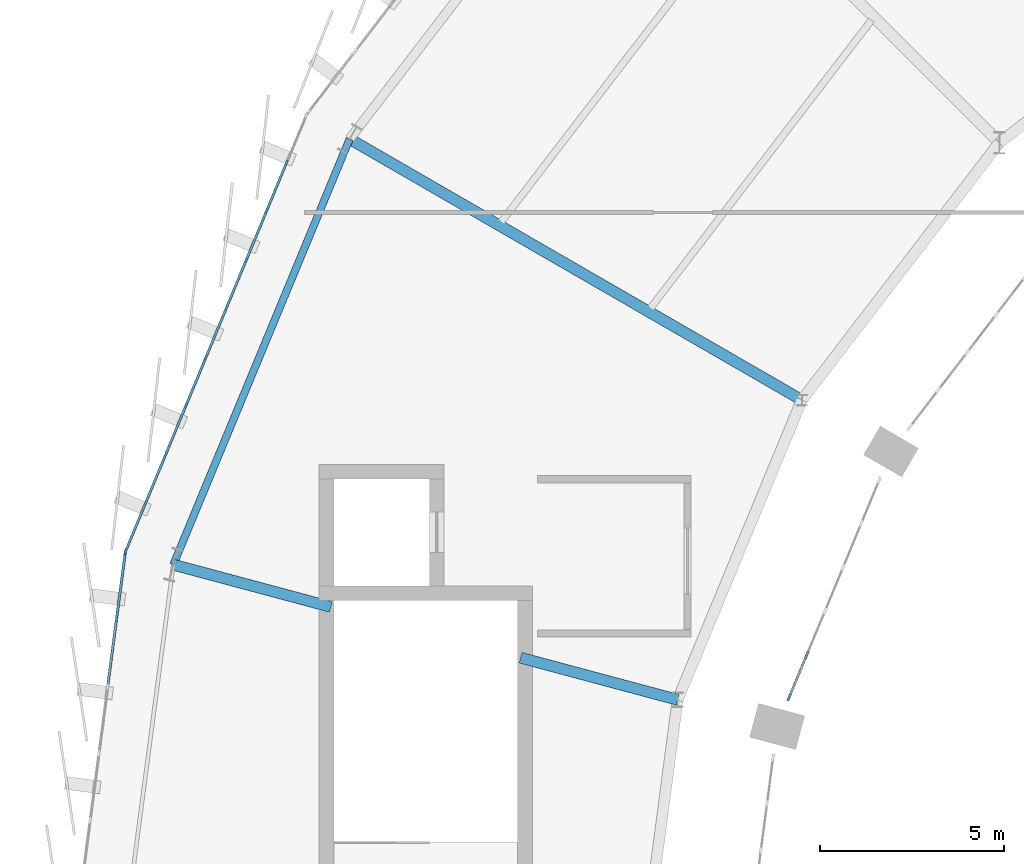
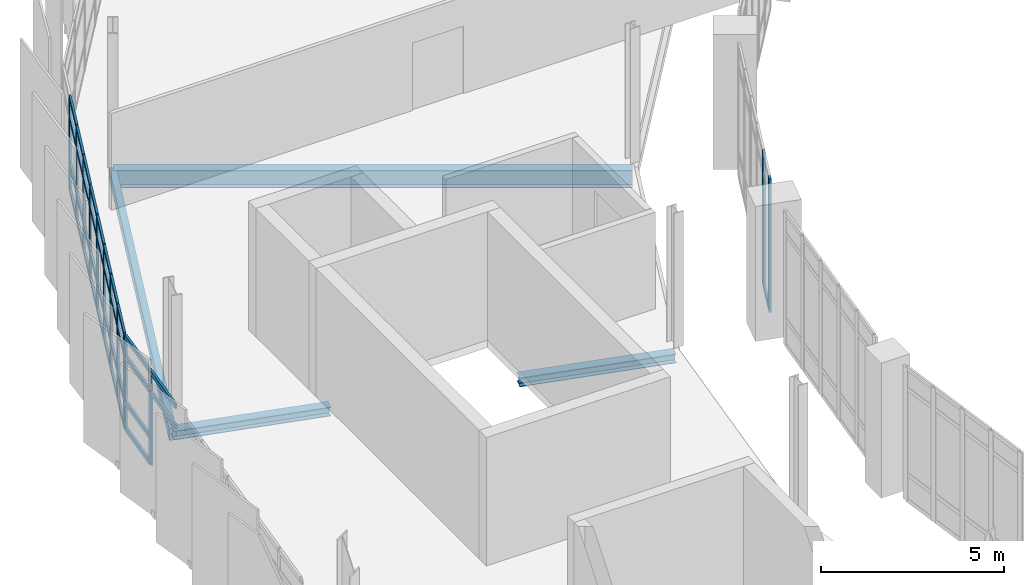
# One storey, part 30 of 67: 52 members, 4 beams, 3 elements without a shape of their own.
"""IFC4 building model written with IfcOpenShell, lengths in metres."""

from ifc_helpers import new_model, si_unit, direction, frame, origin, origin_2d, place, context, subcontext, project, spatial, rectangle, hollow_rectangle, i_section, extrude, material, layer, layer_set, material_profile, profile_set, type_object, element, aggregate, save


model = new_model("IFC4")

# Units and contexts
model_context = context("Model", 3, precision=1e-05, world=origin(), true_north=direction((0.0, 1.0)))
body_context = subcontext(model_context, "Body", "Model", "MODEL_VIEW")
ifc_project = project(units=[si_unit("LENGTHUNIT", "METRE"), si_unit("AREAUNIT", "SQUARE_METRE"), si_unit("VOLUMEUNIT", "CUBIC_METRE"), si_unit("PLANEANGLEUNIT", "RADIAN"), si_unit("MASSUNIT", "GRAM", prefix="KILO")], contexts=[model_context])

# Site, building, storey
site_placement = place(None, origin())
site = spatial("IfcSite", under=ifc_project, at=site_placement, CompositionType="ELEMENT")
building_placement = place(site_placement, origin())
building = spatial("IfcBuilding", under=site, at=building_placement, Name="Sohan Crest Arena", CompositionType="ELEMENT")
storey_placement = place(building_placement, frame((0.0, 0.0, 22.5)))
storey = spatial("IfcBuildingStorey", under=building, at=storey_placement, Name="L05", CompositionType="ELEMENT", Elevation=22.5)

# Curtain wall, members
ifc_material_1 = material(Name="Thermally broken anodised aluminium", Category="aluminium")
ifc_layer_1 = layer(ifc_material_1, 0.18994140625, Name="Thermally broken anodised aluminium")
ifc_layer_set_1 = layer_set([ifc_layer_1], Name="Thermally broken anodised aluminium")
curtain_wall_type_1 = type_object("IfcCurtainWallType", Name="ARC-CW05", PredefinedType="NOTDEFINED", material=ifc_layer_set_1)
curtain_wall_1_placement = place(storey_placement, origin())
curtain_wall_1 = element("IfcCurtainWall", 1, at=curtain_wall_1_placement, inside=storey, type_object=curtain_wall_type_1, Name="Unitised curtain wall CW-150", PredefinedType="NOTDEFINED")
ifc_material_profile_1 = material_profile(ifc_material_1, rectangle(XDim=0.06005859375, YDim=0.159912109375, at=origin_2d()), Name="ALU-MULL 60x160")
ifc_profile_set_1 = profile_set([ifc_material_profile_1], Name="Thermally broken anodised aluminium")
member_type_1 = type_object("IfcMemberType", Name="ARC-CW-ML01", PredefinedType="MULLION", material=ifc_profile_set_1)
member_1_placement = place(storey_placement, frame((54.714111328125, 101.3525390625, 0.0), z_axis=(0.0, 0.0, 1.0), x_axis=(0.923878704229, -0.382685432009, 0.0)))
member_1 = element("IfcMember", 2, at=member_1_placement, type_object=member_type_1, Name="CW-150 mullion 2", PredefinedType="MULLION", context=body_context, shape_type="SweptSolid", body=[
    extrude(rectangle(XDim=0.06005859375, YDim=0.159912109375, at=origin_2d()), origin(), (0.0, 0.0, 1.0), 3.1201171875),
])
member_2_placement = place(storey_placement, frame((54.16650390625, 100.030029296875, 0.0), z_axis=(0.0, 0.0, 1.0), x_axis=(0.923878704229, -0.382685432009, 0.0)))
member_2 = element("IfcMember", 3, at=member_2_placement, type_object=member_type_1, Name="CW-150 mullion 3", PredefinedType="MULLION", context=body_context, shape_type="SweptSolid", body=[
    extrude(rectangle(XDim=0.06005859375, YDim=0.159912109375, at=origin_2d()), origin(), (0.0, 0.0, 1.0), 3.1201171875),
])
member_3_placement = place(storey_placement, frame((53.61865234375, 98.707763671875, 0.0), z_axis=(0.0, 0.0, 1.0), x_axis=(0.923878704229, -0.382685432009, 0.0)))
member_3 = element("IfcMember", 4, at=member_3_placement, type_object=member_type_1, Name="CW-150 mullion 4", PredefinedType="MULLION", context=body_context, shape_type="SweptSolid", body=[
    extrude(rectangle(XDim=0.06005859375, YDim=0.159912109375, at=origin_2d()), origin(), (0.0, 0.0, 1.0), 3.1201171875),
])
member_4_placement = place(storey_placement, frame((53.07080078125, 97.38525390625, 0.0), z_axis=(0.0, 0.0, 1.0), x_axis=(0.923878704229, -0.382685432009, 0.0)))
member_4 = element("IfcMember", 5, at=member_4_placement, type_object=member_type_1, Name="CW-150 mullion 5", PredefinedType="MULLION", context=body_context, shape_type="SweptSolid", body=[
    extrude(rectangle(XDim=0.06005859375, YDim=0.159912109375, at=origin_2d()), origin(), (0.0, 0.0, 1.0), 3.1201171875),
])
member_5_placement = place(storey_placement, frame((52.523193359375, 96.062744140625, 0.0), z_axis=(0.0, 0.0, 1.0), x_axis=(0.923878704229, -0.382685432009, 0.0)))
member_5 = element("IfcMember", 6, at=member_5_placement, type_object=member_type_1, Name="CW-150 mullion 6", PredefinedType="MULLION", context=body_context, shape_type="SweptSolid", body=[
    extrude(rectangle(XDim=0.06005859375, YDim=0.159912109375, at=origin_2d()), origin(), (0.0, 0.0, 1.0), 3.1201171875),
])
member_6_placement = place(storey_placement, frame((51.975341796875, 94.740234375, 0.0), z_axis=(0.0, 0.0, 1.0), x_axis=(0.923878704229, -0.382685432009, 0.0)))
member_6 = element("IfcMember", 7, at=member_6_placement, type_object=member_type_1, Name="CW-150 mullion 7", PredefinedType="MULLION", context=body_context, shape_type="SweptSolid", body=[
    extrude(rectangle(XDim=0.06005859375, YDim=0.159912109375, at=origin_2d()), origin(), (0.0, 0.0, 1.0), 3.1201171875),
])
member_7_placement = place(storey_placement, frame((51.427490234375, 93.41796875, 0.0), z_axis=(0.0, 0.0, 1.0), x_axis=(0.923878704229, -0.382685432009, 0.0)))
member_7 = element("IfcMember", 8, at=member_7_placement, type_object=member_type_1, Name="CW-150 mullion 8", PredefinedType="MULLION", context=body_context, shape_type="SweptSolid", body=[
    extrude(rectangle(XDim=0.06005859375, YDim=0.159912109375, at=origin_2d()), origin(), (0.0, 0.0, 1.0), 3.1201171875),
])
member_8_placement = place(storey_placement, frame((50.8798828125, 92.095458984375, 0.0), z_axis=(0.0, 0.0, 1.0), x_axis=(0.923878704229, -0.382685432009, 0.0)))
member_8 = element("IfcMember", 9, at=member_8_placement, type_object=member_type_1, Name="CW-150 mullion 9", PredefinedType="MULLION", context=body_context, shape_type="SweptSolid", body=[
    extrude(rectangle(XDim=0.06005859375, YDim=0.159912109375, at=origin_2d()), origin(), (0.0, 0.0, 1.0), 3.1201171875),
])
member_9_placement = place(storey_placement, frame((50.343505859375, 90.80078125, 0.0), z_axis=(0.0, 0.0, 1.0), x_axis=(0.923878704229, -0.382685432009, 0.0)))
member_9 = element("IfcMember", 10, at=member_9_placement, type_object=member_type_1, Name="CW-150 mullion 10", PredefinedType="MULLION", context=body_context, shape_type="SweptSolid", body=[
    extrude(rectangle(XDim=0.06005859375, YDim=0.159912109375, at=origin_2d()), origin(), (0.0, 0.0, 1.0), 3.1201171875),
])

ifc_layer_2 = layer(ifc_material_1, 0.2099609375, Name="Thermally broken anodised aluminium")
ifc_layer_set_2 = layer_set([ifc_layer_2], Name="Thermally broken anodised aluminium")
curtain_wall_type_2 = type_object("IfcCurtainWallType", Name="ARC-CW06", PredefinedType="NOTDEFINED", material=ifc_layer_set_2)
curtain_wall_2_placement = place(storey_placement, origin())
curtain_wall_2 = element("IfcCurtainWall", 11, at=curtain_wall_2_placement, inside=storey, type_object=curtain_wall_type_2, Name="Unitised curtain wall CW-151", PredefinedType="NOTDEFINED")
ifc_material_profile_2 = material_profile(ifc_material_1, rectangle(XDim=0.06494140625, YDim=0.179931640625, at=origin_2d()), Name="ALU-MULL 65x180")
ifc_profile_set_2 = profile_set([ifc_material_profile_2], Name="Thermally broken anodised aluminium")
member_type_2 = type_object("IfcMemberType", Name="ARC-CW-ML02", PredefinedType="MULLION", material=ifc_profile_set_2)
member_10_placement = place(storey_placement, frame((50.32763671875, 90.74072265625, 0.0), z_axis=(0.0, 0.0, 1.0), x_axis=(0.991440816386, -0.130556913275, 0.0)))
member_10 = element("IfcMember", 12, at=member_10_placement, type_object=member_type_2, Name="CW-151 mullion 1", PredefinedType="MULLION", context=body_context, shape_type="SweptSolid", body=[
    extrude(rectangle(XDim=0.06494140625, YDim=0.179931640625, at=origin_2d()), origin(), (0.0, 0.0, 1.0), 3.1201171875),
])
member_11_placement = place(storey_placement, frame((50.091796875, 88.9482421875, 0.0), z_axis=(0.0, 0.0, 1.0), x_axis=(0.991440816386, -0.130556913275, 0.0)))
member_11 = element("IfcMember", 13, at=member_11_placement, type_object=member_type_2, Name="CW-151 mullion 2", PredefinedType="MULLION", context=body_context, shape_type="SweptSolid", body=[
    extrude(rectangle(XDim=0.06494140625, YDim=0.179931640625, at=origin_2d()), origin(), (0.0, 0.0, 1.0), 3.1201171875),
])

curtain_wall_3_placement = place(storey_placement, origin())
curtain_wall_3 = element("IfcCurtainWall", 14, at=curtain_wall_3_placement, inside=storey, type_object=curtain_wall_type_1, Name="Unitised curtain wall CW-172", PredefinedType="NOTDEFINED")
ifc_material_profile_3 = material_profile(ifc_material_1, rectangle(XDim=0.070068359375, YDim=0.199951171875, at=origin_2d()), Name="ALU-MULL 70x200")
ifc_profile_set_3 = profile_set([ifc_material_profile_3], Name="Thermally broken anodised aluminium")
member_type_3 = type_object("IfcMemberType", Name="ARC-CW-ML03", PredefinedType="MULLION", material=ifc_profile_set_3)
member_12_placement = place(storey_placement, frame((68.86376953125, 87.97314453125, 0.0), z_axis=(0.0, 0.0, 1.0), x_axis=(0.923886494023, -0.382666625357, 0.0)))
member_12 = element("IfcMember", 15, at=member_12_placement, type_object=member_type_3, Name="CW-172 mullion 5", PredefinedType="MULLION", context=body_context, shape_type="SweptSolid", body=[
    extrude(rectangle(XDim=0.070068359375, YDim=0.199951171875, at=origin_2d()), origin(), (0.0, 0.0, 1.0), 4.449951171875),
])
member_13_placement = place(storey_placement, frame((68.38330078125, 86.813232421875, 0.0), z_axis=(0.0, 0.0, 1.0), x_axis=(0.923886494023, -0.382666625357, 0.0)))
member_13 = element("IfcMember", 16, at=member_13_placement, type_object=member_type_3, Name="CW-172 mullion 6", PredefinedType="MULLION", context=body_context, shape_type="SweptSolid", body=[
    extrude(rectangle(XDim=0.070068359375, YDim=0.199951171875, at=origin_2d()), origin(), (0.0, 0.0, 1.0), 4.449951171875),
])

# Member
ifc_material_profile_4 = material_profile(ifc_material_1, rectangle(XDim=0.06494140625, YDim=0.139892578125, at=origin_2d()), Name="ALU-TRAN 65x140")
ifc_profile_set_4 = profile_set([ifc_material_profile_4], Name="Thermally broken anodised aluminium")
member_type_4 = type_object("IfcMemberType", Name="ARC-CW-TR02", PredefinedType="USERDEFINED", material=ifc_profile_set_4)
member_14_placement = place(storey_placement, frame((54.70263671875, 101.324951171875, 0.032470703125), z_axis=(-0.382566672454, -0.923927887406, 0.0), x_axis=(0.923927887406, -0.382566672454, 0.0)))
member_14 = element("IfcMember", 17, at=member_14_placement, type_object=member_type_4, Name="CW-150 transom 2.1", ObjectType="TRANSOM", PredefinedType="USERDEFINED", context=body_context, shape_type="SweptSolid", body=[
    extrude(rectangle(XDim=0.06494140625, YDim=0.139892578125, at=origin_2d()), origin(), (0.0, 0.0, 1.0), 1.371337890625),
])

member_15_placement = place(storey_placement, frame((54.70263671875, 101.324951171875, 0.89990234375), z_axis=(-0.382566672454, -0.923927887406, 0.0), x_axis=(0.923927887406, -0.382566672454, 0.0)))
member_15 = element("IfcMember", 18, at=member_15_placement, type_object=member_type_4, Name="CW-150 transom 2.2", ObjectType="TRANSOM", PredefinedType="USERDEFINED", context=body_context, shape_type="SweptSolid", body=[
    extrude(rectangle(XDim=0.06494140625, YDim=0.139892578125, at=origin_2d()), origin(), (0.0, 0.0, 1.0), 1.371337890625),
])

member_16_placement = place(storey_placement, frame((54.70263671875, 101.324951171875, 2.419921875), z_axis=(-0.382566672454, -0.923927887406, 0.0), x_axis=(0.923927887406, -0.382566672454, 0.0)))
member_16 = element("IfcMember", 19, at=member_16_placement, type_object=member_type_4, Name="CW-150 transom 2.3", ObjectType="TRANSOM", PredefinedType="USERDEFINED", context=body_context, shape_type="SweptSolid", body=[
    extrude(rectangle(XDim=0.06494140625, YDim=0.139892578125, at=origin_2d()), origin(), (0.0, 0.0, 1.0), 1.371337890625),
])

member_17_placement = place(storey_placement, frame((54.70263671875, 101.324951171875, 3.08740234375), z_axis=(-0.382566672454, -0.923927887406, 0.0), x_axis=(0.923927887406, -0.382566672454, 0.0)))
member_17 = element("IfcMember", 20, at=member_17_placement, type_object=member_type_4, Name="CW-150 transom 2.4", ObjectType="TRANSOM", PredefinedType="USERDEFINED", context=body_context, shape_type="SweptSolid", body=[
    extrude(rectangle(XDim=0.06494140625, YDim=0.139892578125, at=origin_2d()), origin(), (0.0, 0.0, 1.0), 1.371337890625),
])

member_18_placement = place(storey_placement, frame((54.155029296875, 100.00244140625, 0.032470703125), z_axis=(-0.382718623082, -0.923864955254, 0.0), x_axis=(0.923864955254, -0.382718623082, 0.0)))
member_18 = element("IfcMember", 21, at=member_18_placement, type_object=member_type_4, Name="CW-150 transom 3.1", ObjectType="TRANSOM", PredefinedType="USERDEFINED", context=body_context, shape_type="SweptSolid", body=[
    extrude(rectangle(XDim=0.06494140625, YDim=0.139892578125, at=origin_2d()), origin(), (0.0, 0.0, 1.0), 1.37158203125),
])

member_19_placement = place(storey_placement, frame((54.155029296875, 100.00244140625, 0.89990234375), z_axis=(-0.382718623082, -0.923864955254, 0.0), x_axis=(0.923864955254, -0.382718623082, 0.0)))
member_19 = element("IfcMember", 22, at=member_19_placement, type_object=member_type_4, Name="CW-150 transom 3.2", ObjectType="TRANSOM", PredefinedType="USERDEFINED", context=body_context, shape_type="SweptSolid", body=[
    extrude(rectangle(XDim=0.06494140625, YDim=0.139892578125, at=origin_2d()), origin(), (0.0, 0.0, 1.0), 1.37158203125),
])

member_20_placement = place(storey_placement, frame((54.155029296875, 100.00244140625, 2.419921875), z_axis=(-0.382718623082, -0.923864955254, 0.0), x_axis=(0.923864955254, -0.382718623082, 0.0)))
member_20 = element("IfcMember", 23, at=member_20_placement, type_object=member_type_4, Name="CW-150 transom 3.3", ObjectType="TRANSOM", PredefinedType="USERDEFINED", context=body_context, shape_type="SweptSolid", body=[
    extrude(rectangle(XDim=0.06494140625, YDim=0.139892578125, at=origin_2d()), origin(), (0.0, 0.0, 1.0), 1.37158203125),
])

member_21_placement = place(storey_placement, frame((54.155029296875, 100.00244140625, 3.08740234375), z_axis=(-0.382718623082, -0.923864955254, 0.0), x_axis=(0.923864955254, -0.382718623082, 0.0)))
member_21 = element("IfcMember", 24, at=member_21_placement, type_object=member_type_4, Name="CW-150 transom 3.4", ObjectType="TRANSOM", PredefinedType="USERDEFINED", context=body_context, shape_type="SweptSolid", body=[
    extrude(rectangle(XDim=0.06494140625, YDim=0.139892578125, at=origin_2d()), origin(), (0.0, 0.0, 1.0), 1.37158203125),
])

member_22_placement = place(storey_placement, frame((53.607177734375, 98.679931640625, 0.032470703125), z_axis=(-0.382718623082, -0.923864955254, 0.0), x_axis=(0.923864955254, -0.382718623082, 0.0)))
member_22 = element("IfcMember", 25, at=member_22_placement, type_object=member_type_4, Name="CW-150 transom 4.1", ObjectType="TRANSOM", PredefinedType="USERDEFINED", context=body_context, shape_type="SweptSolid", body=[
    extrude(rectangle(XDim=0.06494140625, YDim=0.139892578125, at=origin_2d()), origin(), (0.0, 0.0, 1.0), 1.37158203125),
])

member_23_placement = place(storey_placement, frame((53.607177734375, 98.679931640625, 0.89990234375), z_axis=(-0.382718623082, -0.923864955254, 0.0), x_axis=(0.923864955254, -0.382718623082, 0.0)))
member_23 = element("IfcMember", 26, at=member_23_placement, type_object=member_type_4, Name="CW-150 transom 4.2", ObjectType="TRANSOM", PredefinedType="USERDEFINED", context=body_context, shape_type="SweptSolid", body=[
    extrude(rectangle(XDim=0.06494140625, YDim=0.139892578125, at=origin_2d()), origin(), (0.0, 0.0, 1.0), 1.37158203125),
])

member_24_placement = place(storey_placement, frame((53.607177734375, 98.679931640625, 2.419921875), z_axis=(-0.382718623082, -0.923864955254, 0.0), x_axis=(0.923864955254, -0.382718623082, 0.0)))
member_24 = element("IfcMember", 27, at=member_24_placement, type_object=member_type_4, Name="CW-150 transom 4.3", ObjectType="TRANSOM", PredefinedType="USERDEFINED", context=body_context, shape_type="SweptSolid", body=[
    extrude(rectangle(XDim=0.06494140625, YDim=0.139892578125, at=origin_2d()), origin(), (0.0, 0.0, 1.0), 1.37158203125),
])

member_25_placement = place(storey_placement, frame((53.607177734375, 98.679931640625, 3.08740234375), z_axis=(-0.382718623082, -0.923864955254, 0.0), x_axis=(0.923864955254, -0.382718623082, 0.0)))
member_25 = element("IfcMember", 28, at=member_25_placement, type_object=member_type_4, Name="CW-150 transom 4.4", ObjectType="TRANSOM", PredefinedType="USERDEFINED", context=body_context, shape_type="SweptSolid", body=[
    extrude(rectangle(XDim=0.06494140625, YDim=0.139892578125, at=origin_2d()), origin(), (0.0, 0.0, 1.0), 1.37158203125),
])

member_26_placement = place(storey_placement, frame((53.059326171875, 97.357421875, 0.032470703125), z_axis=(-0.38262960586, -0.923901826343, 0.0), x_axis=(0.923901826343, -0.38262960586, 0.0)))
member_26 = element("IfcMember", 29, at=member_26_placement, type_object=member_type_4, Name="CW-150 transom 5.1", ObjectType="TRANSOM", PredefinedType="USERDEFINED", context=body_context, shape_type="SweptSolid", body=[
    extrude(rectangle(XDim=0.06494140625, YDim=0.139892578125, at=origin_2d()), origin(), (0.0, 0.0, 1.0), 1.37109375),
])

member_27_placement = place(storey_placement, frame((53.059326171875, 97.357421875, 0.89990234375), z_axis=(-0.38262960586, -0.923901826343, 0.0), x_axis=(0.923901826343, -0.38262960586, 0.0)))
member_27 = element("IfcMember", 30, at=member_27_placement, type_object=member_type_4, Name="CW-150 transom 5.2", ObjectType="TRANSOM", PredefinedType="USERDEFINED", context=body_context, shape_type="SweptSolid", body=[
    extrude(rectangle(XDim=0.06494140625, YDim=0.139892578125, at=origin_2d()), origin(), (0.0, 0.0, 1.0), 1.37109375),
])

member_28_placement = place(storey_placement, frame((53.059326171875, 97.357421875, 2.419921875), z_axis=(-0.38262960586, -0.923901826343, 0.0), x_axis=(0.923901826343, -0.38262960586, 0.0)))
member_28 = element("IfcMember", 31, at=member_28_placement, type_object=member_type_4, Name="CW-150 transom 5.3", ObjectType="TRANSOM", PredefinedType="USERDEFINED", context=body_context, shape_type="SweptSolid", body=[
    extrude(rectangle(XDim=0.06494140625, YDim=0.139892578125, at=origin_2d()), origin(), (0.0, 0.0, 1.0), 1.37109375),
])

member_29_placement = place(storey_placement, frame((53.059326171875, 97.357421875, 3.08740234375), z_axis=(-0.38262960586, -0.923901826343, 0.0), x_axis=(0.923901826343, -0.38262960586, 0.0)))
member_29 = element("IfcMember", 32, at=member_29_placement, type_object=member_type_4, Name="CW-150 transom 5.4", ObjectType="TRANSOM", PredefinedType="USERDEFINED", context=body_context, shape_type="SweptSolid", body=[
    extrude(rectangle(XDim=0.06494140625, YDim=0.139892578125, at=origin_2d()), origin(), (0.0, 0.0, 1.0), 1.37109375),
])

member_30_placement = place(storey_placement, frame((52.51171875, 96.03515625, 0.032470703125), z_axis=(-0.382718623082, -0.923864955254, 0.0), x_axis=(0.923864955254, -0.382718623082, 0.0)))
member_30 = element("IfcMember", 33, at=member_30_placement, type_object=member_type_4, Name="CW-150 transom 6.1", ObjectType="TRANSOM", PredefinedType="USERDEFINED", context=body_context, shape_type="SweptSolid", body=[
    extrude(rectangle(XDim=0.06494140625, YDim=0.139892578125, at=origin_2d()), origin(), (0.0, 0.0, 1.0), 1.37158203125),
])

member_31_placement = place(storey_placement, frame((52.51171875, 96.03515625, 0.89990234375), z_axis=(-0.382718623082, -0.923864955254, 0.0), x_axis=(0.923864955254, -0.382718623082, 0.0)))
member_31 = element("IfcMember", 34, at=member_31_placement, type_object=member_type_4, Name="CW-150 transom 6.2", ObjectType="TRANSOM", PredefinedType="USERDEFINED", context=body_context, shape_type="SweptSolid", body=[
    extrude(rectangle(XDim=0.06494140625, YDim=0.139892578125, at=origin_2d()), origin(), (0.0, 0.0, 1.0), 1.37158203125),
])

member_32_placement = place(storey_placement, frame((52.51171875, 96.03515625, 2.419921875), z_axis=(-0.382718623082, -0.923864955254, 0.0), x_axis=(0.923864955254, -0.382718623082, 0.0)))
member_32 = element("IfcMember", 35, at=member_32_placement, type_object=member_type_4, Name="CW-150 transom 6.3", ObjectType="TRANSOM", PredefinedType="USERDEFINED", context=body_context, shape_type="SweptSolid", body=[
    extrude(rectangle(XDim=0.06494140625, YDim=0.139892578125, at=origin_2d()), origin(), (0.0, 0.0, 1.0), 1.37158203125),
])

member_33_placement = place(storey_placement, frame((52.51171875, 96.03515625, 3.08740234375), z_axis=(-0.382718623082, -0.923864955254, 0.0), x_axis=(0.923864955254, -0.382718623082, 0.0)))
member_33 = element("IfcMember", 36, at=member_33_placement, type_object=member_type_4, Name="CW-150 transom 6.4", ObjectType="TRANSOM", PredefinedType="USERDEFINED", context=body_context, shape_type="SweptSolid", body=[
    extrude(rectangle(XDim=0.06494140625, YDim=0.139892578125, at=origin_2d()), origin(), (0.0, 0.0, 1.0), 1.37158203125),
])

member_34_placement = place(storey_placement, frame((51.9638671875, 94.712646484375, 0.032470703125), z_axis=(-0.382718623082, -0.923864955254, 0.0), x_axis=(0.923864955254, -0.382718623082, 0.0)))
member_34 = element("IfcMember", 37, at=member_34_placement, type_object=member_type_4, Name="CW-150 transom 7.1", ObjectType="TRANSOM", PredefinedType="USERDEFINED", context=body_context, shape_type="SweptSolid", body=[
    extrude(rectangle(XDim=0.06494140625, YDim=0.139892578125, at=origin_2d()), origin(), (0.0, 0.0, 1.0), 1.37158203125),
])

member_35_placement = place(storey_placement, frame((51.9638671875, 94.712646484375, 0.89990234375), z_axis=(-0.382718623082, -0.923864955254, 0.0), x_axis=(0.923864955254, -0.382718623082, 0.0)))
member_35 = element("IfcMember", 38, at=member_35_placement, type_object=member_type_4, Name="CW-150 transom 7.2", ObjectType="TRANSOM", PredefinedType="USERDEFINED", context=body_context, shape_type="SweptSolid", body=[
    extrude(rectangle(XDim=0.06494140625, YDim=0.139892578125, at=origin_2d()), origin(), (0.0, 0.0, 1.0), 1.37158203125),
])

member_36_placement = place(storey_placement, frame((51.9638671875, 94.712646484375, 2.419921875), z_axis=(-0.382718623082, -0.923864955254, 0.0), x_axis=(0.923864955254, -0.382718623082, 0.0)))
member_36 = element("IfcMember", 39, at=member_36_placement, type_object=member_type_4, Name="CW-150 transom 7.3", ObjectType="TRANSOM", PredefinedType="USERDEFINED", context=body_context, shape_type="SweptSolid", body=[
    extrude(rectangle(XDim=0.06494140625, YDim=0.139892578125, at=origin_2d()), origin(), (0.0, 0.0, 1.0), 1.37158203125),
])

member_37_placement = place(storey_placement, frame((51.9638671875, 94.712646484375, 3.08740234375), z_axis=(-0.382718623082, -0.923864955254, 0.0), x_axis=(0.923864955254, -0.382718623082, 0.0)))
member_37 = element("IfcMember", 40, at=member_37_placement, type_object=member_type_4, Name="CW-150 transom 7.4", ObjectType="TRANSOM", PredefinedType="USERDEFINED", context=body_context, shape_type="SweptSolid", body=[
    extrude(rectangle(XDim=0.06494140625, YDim=0.139892578125, at=origin_2d()), origin(), (0.0, 0.0, 1.0), 1.37158203125),
])

member_38_placement = place(storey_placement, frame((51.416015625, 93.39013671875, 0.032470703125), z_axis=(-0.382566672454, -0.923927887406, 0.0), x_axis=(0.923927887406, -0.382566672454, 0.0)))
member_38 = element("IfcMember", 41, at=member_38_placement, type_object=member_type_4, Name="CW-150 transom 8.1", ObjectType="TRANSOM", PredefinedType="USERDEFINED", context=body_context, shape_type="SweptSolid", body=[
    extrude(rectangle(XDim=0.06494140625, YDim=0.139892578125, at=origin_2d()), origin(), (0.0, 0.0, 1.0), 1.371337890625),
])

member_39_placement = place(storey_placement, frame((51.416015625, 93.39013671875, 0.89990234375), z_axis=(-0.382566672454, -0.923927887406, 0.0), x_axis=(0.923927887406, -0.382566672454, 0.0)))
member_39 = element("IfcMember", 42, at=member_39_placement, type_object=member_type_4, Name="CW-150 transom 8.2", ObjectType="TRANSOM", PredefinedType="USERDEFINED", context=body_context, shape_type="SweptSolid", body=[
    extrude(rectangle(XDim=0.06494140625, YDim=0.139892578125, at=origin_2d()), origin(), (0.0, 0.0, 1.0), 1.371337890625),
])

member_40_placement = place(storey_placement, frame((51.416015625, 93.39013671875, 2.419921875), z_axis=(-0.382566672454, -0.923927887406, 0.0), x_axis=(0.923927887406, -0.382566672454, 0.0)))
member_40 = element("IfcMember", 43, at=member_40_placement, type_object=member_type_4, Name="CW-150 transom 8.3", ObjectType="TRANSOM", PredefinedType="USERDEFINED", context=body_context, shape_type="SweptSolid", body=[
    extrude(rectangle(XDim=0.06494140625, YDim=0.139892578125, at=origin_2d()), origin(), (0.0, 0.0, 1.0), 1.371337890625),
])

member_41_placement = place(storey_placement, frame((51.416015625, 93.39013671875, 3.08740234375), z_axis=(-0.382566672454, -0.923927887406, 0.0), x_axis=(0.923927887406, -0.382566672454, 0.0)))
member_41 = element("IfcMember", 44, at=member_41_placement, type_object=member_type_4, Name="CW-150 transom 8.4", ObjectType="TRANSOM", PredefinedType="USERDEFINED", context=body_context, shape_type="SweptSolid", body=[
    extrude(rectangle(XDim=0.06494140625, YDim=0.139892578125, at=origin_2d()), origin(), (0.0, 0.0, 1.0), 1.371337890625),
])

member_42_placement = place(storey_placement, frame((50.868408203125, 92.067626953125, 0.032470703125), z_axis=(-0.382753642759, -0.923850447288, 0.0), x_axis=(0.923850447288, -0.382753642759, 0.0)))
member_42 = element("IfcMember", 45, at=member_42_placement, type_object=member_type_4, Name="CW-150 transom 9.1", ObjectType="TRANSOM", PredefinedType="USERDEFINED", context=body_context, shape_type="SweptSolid", body=[
    extrude(rectangle(XDim=0.06494140625, YDim=0.139892578125, at=origin_2d()), origin(), (0.0, 0.0, 1.0), 1.34130859375),
])

member_43_placement = place(storey_placement, frame((50.868408203125, 92.067626953125, 0.89990234375), z_axis=(-0.382753642759, -0.923850447288, 0.0), x_axis=(0.923850447288, -0.382753642759, 0.0)))
member_43 = element("IfcMember", 46, at=member_43_placement, type_object=member_type_4, Name="CW-150 transom 9.2", ObjectType="TRANSOM", PredefinedType="USERDEFINED", context=body_context, shape_type="SweptSolid", body=[
    extrude(rectangle(XDim=0.06494140625, YDim=0.139892578125, at=origin_2d()), origin(), (0.0, 0.0, 1.0), 1.34130859375),
])

member_44_placement = place(storey_placement, frame((50.868408203125, 92.067626953125, 2.419921875), z_axis=(-0.382753642759, -0.923850447288, 0.0), x_axis=(0.923850447288, -0.382753642759, 0.0)))
member_44 = element("IfcMember", 47, at=member_44_placement, type_object=member_type_4, Name="CW-150 transom 9.3", ObjectType="TRANSOM", PredefinedType="USERDEFINED", context=body_context, shape_type="SweptSolid", body=[
    extrude(rectangle(XDim=0.06494140625, YDim=0.139892578125, at=origin_2d()), origin(), (0.0, 0.0, 1.0), 1.34130859375),
])

member_45_placement = place(storey_placement, frame((50.868408203125, 92.067626953125, 3.08740234375), z_axis=(-0.382753642759, -0.923850447288, 0.0), x_axis=(0.923850447288, -0.382753642759, 0.0)))
member_45 = element("IfcMember", 48, at=member_45_placement, type_object=member_type_4, Name="CW-150 transom 9.4", ObjectType="TRANSOM", PredefinedType="USERDEFINED", context=body_context, shape_type="SweptSolid", body=[
    extrude(rectangle(XDim=0.06494140625, YDim=0.139892578125, at=origin_2d()), origin(), (0.0, 0.0, 1.0), 1.34130859375),
])

aggregate(curtain_wall_1, [member_1, member_2, member_3, member_4, member_5, member_6, member_7, member_8, member_9, member_14, member_15, member_16, member_17, member_18, member_19, member_20, member_21, member_22, member_23, member_24, member_25, member_26, member_27, member_28, member_29, member_30, member_31, member_32, member_33, member_34, member_35, member_36, member_37, member_38, member_39, member_40, member_41, member_42, member_43, member_44, member_45])

member_46_placement = place(storey_placement, frame((68.850341796875, 87.94091796875, 0.032470703125), z_axis=(-0.382654947151, -0.923891330959, 0.0), x_axis=(0.923891330959, -0.382654947151, 0.0)))
member_46 = element("IfcMember", 49, at=member_46_placement, type_object=member_type_4, Name="CW-172 transom 5.1", ObjectType="TRANSOM", PredefinedType="USERDEFINED", context=body_context, shape_type="SweptSolid", body=[
    extrude(rectangle(XDim=0.06494140625, YDim=0.139892578125, at=origin_2d()), origin(), (0.0, 0.0, 1.0), 1.185546875),
])

aggregate(curtain_wall_3, [member_12, member_13, member_46])

ifc_material_profile_5 = material_profile(ifc_material_1, rectangle(XDim=0.070068359375, YDim=0.14990234375, at=origin_2d()), Name="ALU-TRAN 70x150")
ifc_profile_set_5 = profile_set([ifc_material_profile_5], Name="Thermally broken anodised aluminium")
member_type_5 = type_object("IfcMemberType", Name="ARC-CW-TR03", PredefinedType="USERDEFINED", material=ifc_profile_set_5)
member_47_placement = place(storey_placement, frame((50.323486328125, 90.70849609375, 0.034912109375), z_axis=(-0.130548720866, -0.991441895161, 0.0), x_axis=(0.991441895161, -0.130548720866, 0.0)))
member_47 = element("IfcMember", 50, at=member_47_placement, type_object=member_type_5, Name="CW-151 transom 1.1", ObjectType="TRANSOM", PredefinedType="USERDEFINED", context=body_context, shape_type="SweptSolid", body=[
    extrude(rectangle(XDim=0.070068359375, YDim=0.14990234375, at=origin_2d()), origin(), (0.0, 0.0, 1.0), 1.742919921875),
])

member_48_placement = place(storey_placement, frame((50.323486328125, 90.70849609375, 0.89990234375), z_axis=(-0.130548720866, -0.991441895161, 0.0), x_axis=(0.991441895161, -0.130548720866, 0.0)))
member_48 = element("IfcMember", 51, at=member_48_placement, type_object=member_type_5, Name="CW-151 transom 1.2", ObjectType="TRANSOM", PredefinedType="USERDEFINED", context=body_context, shape_type="SweptSolid", body=[
    extrude(rectangle(XDim=0.070068359375, YDim=0.14990234375, at=origin_2d()), origin(), (0.0, 0.0, 1.0), 1.742919921875),
])

member_49_placement = place(storey_placement, frame((50.323486328125, 90.70849609375, 2.419921875), z_axis=(-0.130548720866, -0.991441895161, 0.0), x_axis=(0.991441895161, -0.130548720866, 0.0)))
member_49 = element("IfcMember", 52, at=member_49_placement, type_object=member_type_5, Name="CW-151 transom 1.3", ObjectType="TRANSOM", PredefinedType="USERDEFINED", context=body_context, shape_type="SweptSolid", body=[
    extrude(rectangle(XDim=0.070068359375, YDim=0.14990234375, at=origin_2d()), origin(), (0.0, 0.0, 1.0), 1.742919921875),
])

member_50_placement = place(storey_placement, frame((50.323486328125, 90.70849609375, 3.0849609375), z_axis=(-0.130548720866, -0.991441895161, 0.0), x_axis=(0.991441895161, -0.130548720866, 0.0)))
member_50 = element("IfcMember", 53, at=member_50_placement, type_object=member_type_5, Name="CW-151 transom 1.4", ObjectType="TRANSOM", PredefinedType="USERDEFINED", context=body_context, shape_type="SweptSolid", body=[
    extrude(rectangle(XDim=0.070068359375, YDim=0.14990234375, at=origin_2d()), origin(), (0.0, 0.0, 1.0), 1.742919921875),
])

member_51_placement = place(storey_placement, frame((50.08740234375, 88.916015625, 2.419921875), z_axis=(-0.130497197719, -0.991448678141, 0.0), x_axis=(0.991448678141, -0.130497197719, 0.0)))
member_51 = element("IfcMember", 54, at=member_51_placement, type_object=member_type_5, Name="CW-151 transom 2.3", ObjectType="TRANSOM", PredefinedType="USERDEFINED", context=body_context, shape_type="SweptSolid", body=[
    extrude(rectangle(XDim=0.070068359375, YDim=0.14990234375, at=origin_2d()), origin(), (0.0, 0.0, 1.0), 1.775390625),
])

member_52_placement = place(storey_placement, frame((50.08740234375, 88.916015625, 3.0849609375), z_axis=(-0.130497197719, -0.991448678141, 0.0), x_axis=(0.991448678141, -0.130497197719, 0.0)))
member_52 = element("IfcMember", 55, at=member_52_placement, type_object=member_type_5, Name="CW-151 transom 2.4", ObjectType="TRANSOM", PredefinedType="USERDEFINED", context=body_context, shape_type="SweptSolid", body=[
    extrude(rectangle(XDim=0.070068359375, YDim=0.14990234375, at=origin_2d()), origin(), (0.0, 0.0, 1.0), 1.775390625),
])

aggregate(curtain_wall_2, [member_10, member_11, member_47, member_48, member_49, member_50, member_51, member_52])

# Beams
ifc_material_2 = material(Name="Steel S355", Category="steel")
ifc_material_profile_6 = material_profile(ifc_material_2, i_section(OverallWidth=0.300048828125, OverallDepth=0.590087890625, WebThickness=0.012939453125, FlangeThickness=0.02490234375, at=origin_2d()), Name="HEA 600")
ifc_profile_set_6 = profile_set([ifc_material_profile_6], Name="Steel S355")
beam_type_1 = type_object("IfcBeamType", Name="STR-BM-B11", PredefinedType="BEAM", material=ifc_profile_set_6)
beam_1_placement = place(storey_placement, frame((68.72802734375, 94.89990234375, -0.544921875), z_axis=(-0.86601465089, 0.500018624098, 0.0), x_axis=(-0.500018624098, -0.86601465089, 0.0)))
element("IfcBeam", 56, at=beam_1_placement, inside=storey, type_object=beam_type_1, Name="Structural beam G-L05-1725", PredefinedType="BEAM", context=body_context, shape_type="SweptSolid", body=[
    extrude(i_section(OverallWidth=0.300048828125, OverallDepth=0.590087890625, WebThickness=0.012939453125, FlangeThickness=0.02490234375, at=origin_2d()), origin(), (0.0, 0.0, 1.0), 14.19970703125),
])
ifc_material_profile_7 = material_profile(ifc_material_2, i_section(OverallWidth=0.300048828125, OverallDepth=0.300048828125, WebThickness=0.010986328125, FlangeThickness=0.01904296875, at=origin_2d()), Name="HEB 300")
ifc_profile_set_7 = profile_set([ifc_material_profile_7], Name="Steel S355")
beam_type_2 = type_object("IfcBeamType", Name="STR-BM-B12", PredefinedType="BEAM", material=ifc_profile_set_7)
beam_2_placement = place(storey_placement, frame((65.35205078125, 86.748046875, -0.39990234375), z_axis=(-0.965906157738, 0.258892437981, 0.0), x_axis=(-0.258892437981, -0.965906157738, 0.0)))
element("IfcBeam", 57, at=beam_2_placement, inside=storey, type_object=beam_type_2, Name="Structural beam G-L05-1728", PredefinedType="BEAM", context=body_context, shape_type="SweptSolid", body=[
    extrude(i_section(OverallWidth=0.300048828125, OverallDepth=0.300048828125, WebThickness=0.010986328125, FlangeThickness=0.01904296875, at=origin_2d()), origin(), (0.0, 0.0, 1.0), 4.4228515625),
])
beam_3_placement = place(storey_placement, frame((55.919921875, 89.27490234375, -0.39990234375), z_axis=(-0.965907995401, 0.258885581716, 0.0), x_axis=(-0.258885581716, -0.965907995401, 0.0)))
element("IfcBeam", 58, at=beam_3_placement, inside=storey, type_object=beam_type_2, Name="Structural beam G-L05-1729", PredefinedType="BEAM", context=body_context, shape_type="SweptSolid", body=[
    extrude(i_section(OverallWidth=0.300048828125, OverallDepth=0.300048828125, WebThickness=0.010986328125, FlangeThickness=0.01904296875, at=origin_2d()), origin(), (0.0, 0.0, 1.0), 4.43505859375),
])
ifc_material_profile_8 = material_profile(ifc_material_2, hollow_rectangle(XDim=0.199951171875, YDim=0.39990234375, WallThickness=0.012451171875, at=origin_2d()), Name="RHS 400x200x12.5")
ifc_profile_set_8 = profile_set([ifc_material_profile_8], Name="Steel S355")
beam_type_3 = type_object("IfcBeamType", Name="STR-BM-SP05", PredefinedType="SPANDREL", material=ifc_profile_set_8)
beam_4_placement = place(storey_placement, frame((56.430908203125, 102.0, -0.449951171875), z_axis=(-0.382656941645, -0.923890504882, 0.0), x_axis=(0.923890504882, -0.382656941645, 0.0)))
element("IfcBeam", 59, at=beam_4_placement, inside=storey, type_object=beam_type_3, Name="Structural beam SP-L05-1727", PredefinedType="SPANDREL", context=body_context, shape_type="SweptSolid", body=[
    extrude(hollow_rectangle(XDim=0.199951171875, YDim=0.39990234375, WallThickness=0.012451171875, at=origin_2d()), origin(), (0.0, 0.0, 1.0), 12.530517578125),
])

save(model, "model.ifc")
